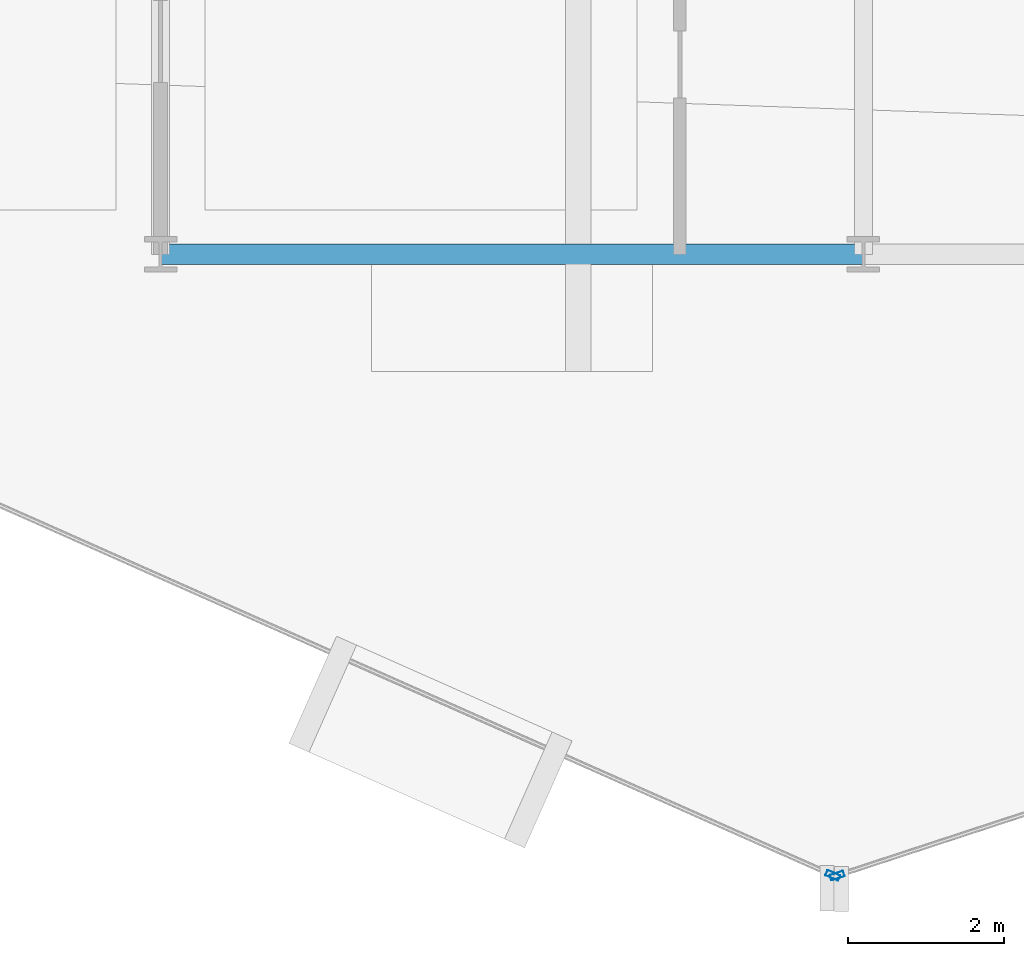
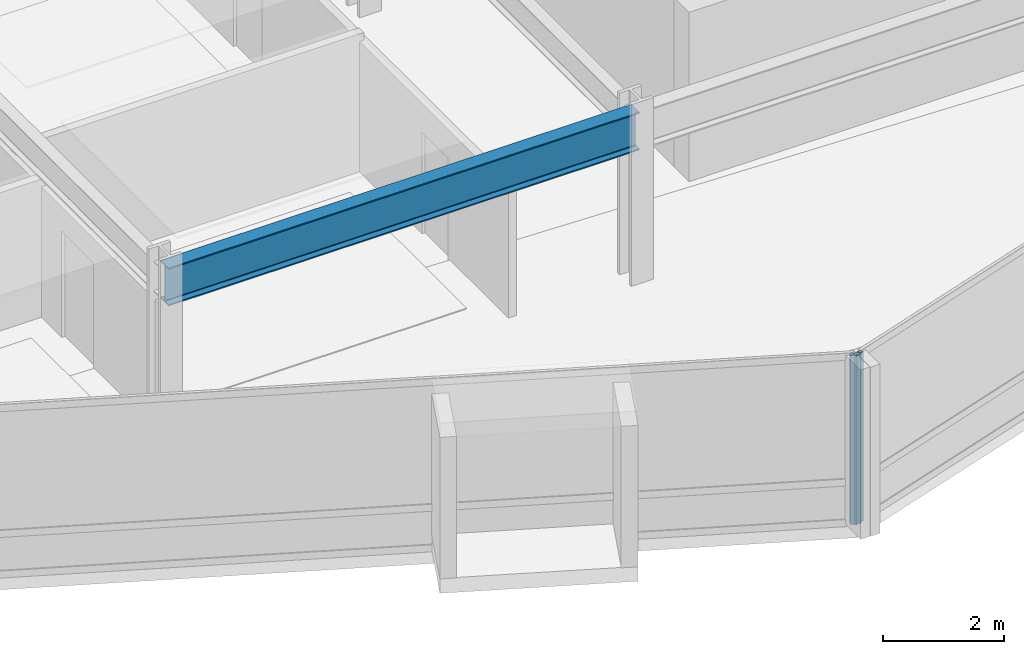
# One storey, part 4 of 28: 2 members, 1 beam, 2 elements without a shape of their own.
"""IFC4 building model written with IfcOpenShell, lengths in metres."""

from ifc_helpers import new_model, si_unit, direction, frame, origin, origin_2d, place, context, subcontext, project, spatial, hollow_rectangle, i_section, extrude, material, layer, layer_set, material_profile, profile_set, type_object, element, aggregate, save


model = new_model("IFC4")

# Units and contexts
model_context = context("Model", 3, precision=1e-05, world=origin(), true_north=direction((0.0, 1.0)))
body_context = subcontext(model_context, "Body", "Model", "MODEL_VIEW")
ifc_project = project(units=[si_unit("LENGTHUNIT", "METRE"), si_unit("AREAUNIT", "SQUARE_METRE"), si_unit("VOLUMEUNIT", "CUBIC_METRE"), si_unit("PLANEANGLEUNIT", "RADIAN"), si_unit("MASSUNIT", "GRAM", prefix="KILO")], contexts=[model_context])

# Site, building, storey
site_placement = place(None, origin())
site = spatial("IfcSite", under=ifc_project, at=site_placement, CompositionType="ELEMENT")
building_placement = place(site_placement, origin())
building = spatial("IfcBuilding", under=site, at=building_placement, Name="Solvaryn Broadcast Tower", CompositionType="ELEMENT")
storey_placement = place(building_placement, frame((0.0, 0.0, 135.89990234375)))
storey = spatial("IfcBuildingStorey", under=building, at=storey_placement, Name="L33", CompositionType="ELEMENT", Elevation=135.89990234375)

# Beam
ifc_material_1 = material(Name="Steel ASTM A992 Grade 50", Category="steel")
ifc_material_profile_1 = material_profile(ifc_material_1, i_section(OverallWidth=0.26708984375, OverallDepth=0.76611328125, WebThickness=0.014892578125, FlangeThickness=0.023681640625, FilletRadius=0.01806640625, at=origin_2d()))
ifc_profile_set_1 = profile_set([ifc_material_profile_1], Name="Steel ASTM A992 Grade 50")
beam_type = type_object("IfcBeamType", Name="BM-SP2-W30X124", PredefinedType="USERDEFINED", material=ifc_profile_set_1)
beam_placement = place(storey_placement, frame((18.0, 9.0, 3.037109375), z_axis=(1.0, 0.0, 0.0), x_axis=(0.0, 1.0, 0.0)))
element("IfcBeam", 1, at=beam_placement, inside=storey, type_object=beam_type, Name="L33 Spandrel Beam X (18-27 @ Y=9)", ObjectType="SPANDREL", PredefinedType="USERDEFINED", context=body_context, shape_type="SweptSolid", body=[
    extrude(i_section(OverallWidth=0.26708984375, OverallDepth=0.76611328125, WebThickness=0.014892578125, FlangeThickness=0.023681640625, FilletRadius=0.01806640625, at=origin_2d()), origin(), (0.0, 0.0, 1.0), 9.0),
])

# Curtain wall, member
ifc_material_2 = material(Name="Aluminium and Terracotta Unitised Curtain Wall", Category="masonry")
ifc_layer = layer(ifc_material_2, 0.199951171875)
ifc_layer_set = layer_set([ifc_layer], Name="CW-SYS2-LOWMID")
curtain_wall_type = type_object("IfcCurtainWallType", Name="CW-SYS2-LOWMID", PredefinedType="NOTDEFINED", material=ifc_layer_set)
curtain_wall_1_placement = place(storey_placement, origin())
curtain_wall_1 = element("IfcCurtainWall", 2, at=curtain_wall_1_placement, inside=storey, type_object=curtain_wall_type, Name="L33 Curtain Wall DR3", PredefinedType="NOTDEFINED")
ifc_material_3 = material(Name="Anodised Aluminium 6063-T6", Category="aluminium")
ifc_material_profile_2 = material_profile(ifc_material_3, hollow_rectangle(XDim=0.074951171875, YDim=0.179931640625, WallThickness=0.00390625, InnerFilletRadius=0.00390625, OuterFilletRadius=0.008056640625, at=origin_2d()))
ifc_profile_set_2 = profile_set([ifc_material_profile_2], Name="Anodised Aluminium 6063-T6")
member_type = type_object("IfcMemberType", Name="CW-MUL-180", PredefinedType="MULLION", material=ifc_profile_set_2)
member_1_placement = place(storey_placement, frame((26.608642578125, 1.046142578125, 0.0), z_axis=(0.0, 0.0, 1.0), x_axis=(0.405918429309, 0.913909311008, 0.0)))
member_1 = element("IfcMember", 3, at=member_1_placement, type_object=member_type, Name="CWS2 mullion 2", PredefinedType="MULLION", context=body_context, shape_type="SweptSolid", body=[
    extrude(hollow_rectangle(XDim=0.074951171875, YDim=0.179931640625, WallThickness=0.00390625, InnerFilletRadius=0.00390625, OuterFilletRadius=0.008056640625, at=origin_2d()), origin(), (0.0, 0.0, 1.0), 3.420166015625),
])
aggregate(curtain_wall_1, [member_1])

curtain_wall_2_placement = place(storey_placement, origin())
curtain_wall_2 = element("IfcCurtainWall", 4, at=curtain_wall_2_placement, inside=storey, type_object=curtain_wall_type, Name="L33 Curtain Wall DR4", PredefinedType="NOTDEFINED")
member_2_placement = place(storey_placement, frame((26.66455078125, 1.04345703125, 0.0), z_axis=(0.0, 0.0, 1.0), x_axis=(-0.311646057547, 0.950198260794, 0.0)))
member_2 = element("IfcMember", 5, at=member_2_placement, type_object=member_type, Name="CWS2 mullion 1", PredefinedType="MULLION", context=body_context, shape_type="SweptSolid", body=[
    extrude(hollow_rectangle(XDim=0.074951171875, YDim=0.179931640625, WallThickness=0.00390625, InnerFilletRadius=0.00390625, OuterFilletRadius=0.008056640625, at=origin_2d()), origin(), (0.0, 0.0, 1.0), 3.420166015625),
])
aggregate(curtain_wall_2, [member_2])

save(model, "model.ifc")
